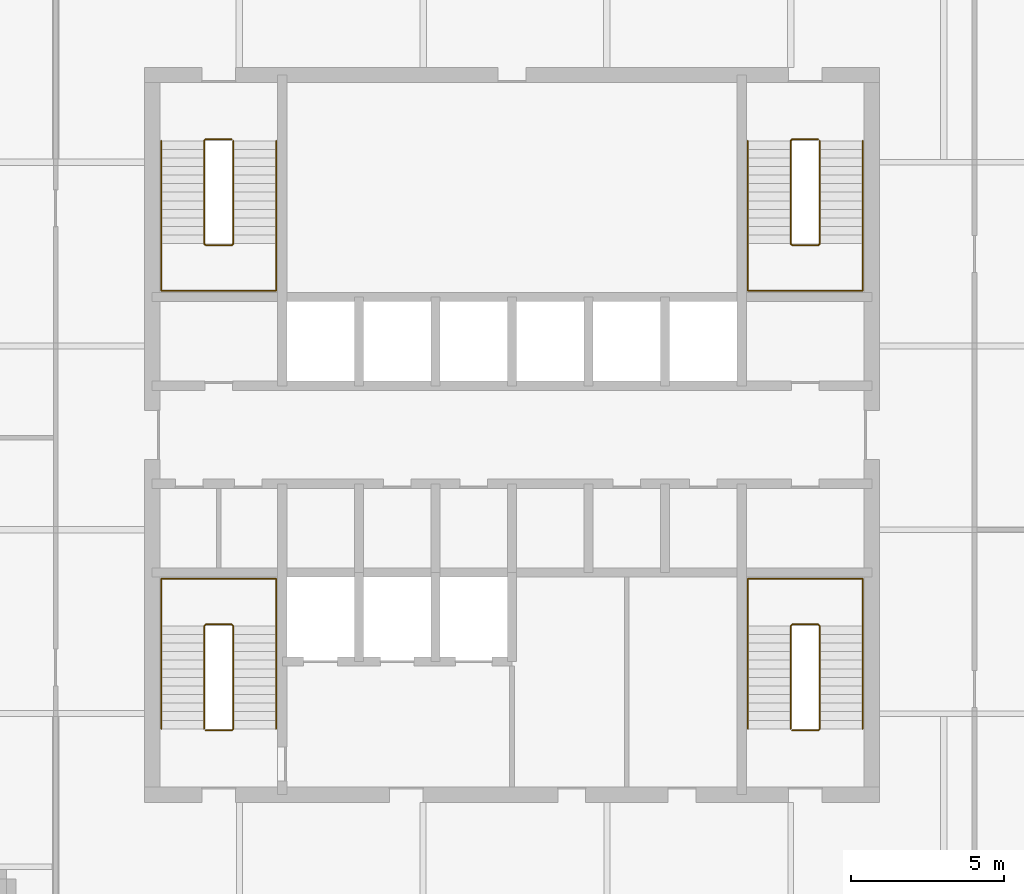
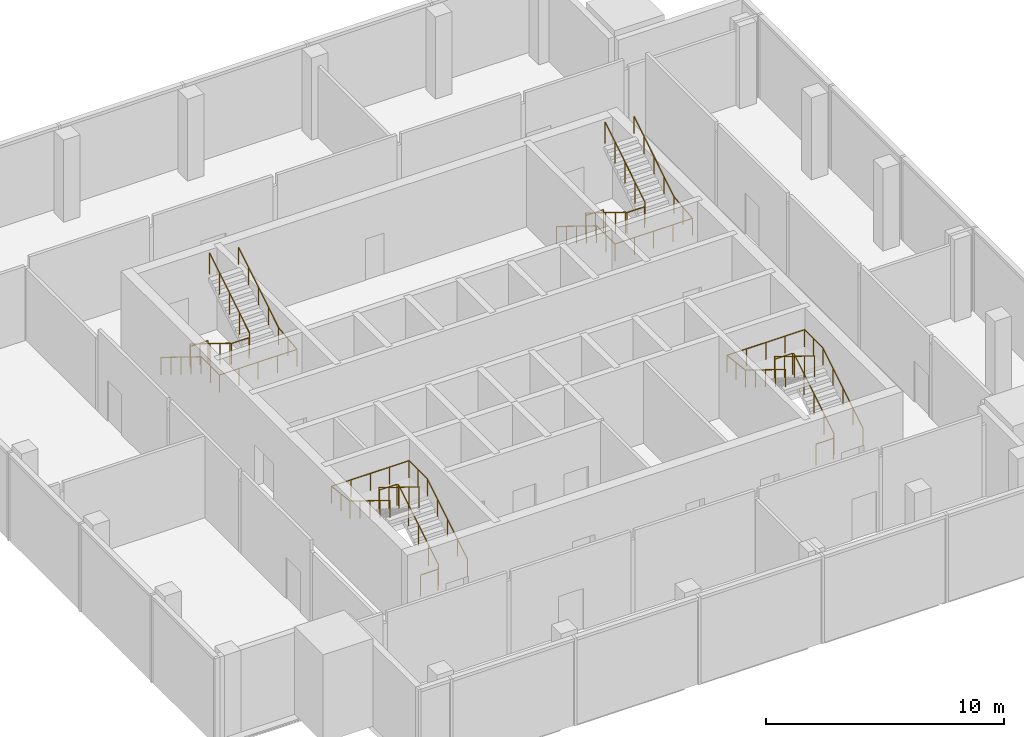
# One storey, part 7 of 7: 8 railings.
"""IFC4 building model written with IfcOpenShell, lengths in metres."""

from ifc_helpers import new_model, si_unit, direction, frame, origin, origin_2d, place, context, subcontext, project, spatial, circle, extrude, material, type_object, element, save


model = new_model("IFC4")

# Units and contexts
model_context = context("Model", 3, precision=1e-05, world=origin(), true_north=direction((0.0, 1.0)))
body_context = subcontext(model_context, "Body", "Model", "MODEL_VIEW")
ifc_project = project(units=[si_unit("LENGTHUNIT", "METRE"), si_unit("AREAUNIT", "SQUARE_METRE"), si_unit("VOLUMEUNIT", "CUBIC_METRE"), si_unit("PLANEANGLEUNIT", "RADIAN"), si_unit("MASSUNIT", "GRAM", prefix="KILO")], contexts=[model_context])

# Site, building, storey
site_placement = place(None, origin())
site = spatial("IfcSite", under=ifc_project, at=site_placement, CompositionType="ELEMENT")
building_placement = place(site_placement, origin())
building = spatial("IfcBuilding", under=site, at=building_placement, Name="Amberfall Residences", CompositionType="ELEMENT")
storey_placement = place(building_placement, frame((0.0, 0.0, 281.800048828125)))
storey = spatial("IfcBuildingStorey", under=building, at=storey_placement, Name="L76 Crown", CompositionType="ELEMENT", Elevation=281.800048828125)

# Railings
ifc_material = material(Name="Stainless steel 316", Category="steel")
railing_type_1 = type_object("IfcRailingType", Name="Stair guard 1100", PredefinedType="GUARDRAIL", material=ifc_material)
railing_1_placement = place(storey_placement, frame((64.5, 35.85009765625, 0.0)))
element("IfcRailing", 1, at=railing_1_placement, inside=storey, type_object=railing_type_1, Name="L76 Crown stair 1 guard", PredefinedType="GUARDRAIL", context=body_context, shape_type="SweptSolid", body=[
    extrude(circle(Radius=0.02392578125, at=origin_2d()), frame((0.0, 0.0, 1.076171875), z_axis=(1.0, 0.0, 0.0), x_axis=(0.0, 1.0, 0.0)), (0.0, 0.0, 1.0), 0.85009765625),
    extrude(circle(Radius=0.02392578125, at=origin_2d()), frame((0.85009765625, 0.0, 1.076171875), z_axis=(0.26651005591, 0.26651005591, 0.926253086471), x_axis=(-0.707106781187, 0.707106781187, 0.0)), (0.0, 0.0, 1.0), 0.186767578125),
    extrude(circle(Radius=0.02392578125, at=origin_2d()), frame((0.89990234375, 0.0498046875, 1.2490234375), z_axis=(0.0, 0.850623216509, 0.525775754039), x_axis=(-1.0, 0.0, 0.0)), (0.0, 0.0, 1.0), 3.9501953125),
    extrude(circle(Radius=0.02392578125, at=origin_2d()), frame((0.89990234375, 3.409912109375, 3.326171875), z_axis=(-0.705375805398, 0.708833529934, 0.0), x_axis=(-0.708833529934, -0.705375805398, 0.0)), (0.0, 0.0, 1.0), 0.070556640625),
    extrude(circle(Radius=0.02392578125, at=origin_2d()), frame((0.85009765625, 3.4599609375, 3.326171875), z_axis=(-1.0, 0.0, 0.0), x_axis=(0.0, -1.0, 0.0)), (0.0, 0.0, 1.0), 0.85009765625),
    extrude(circle(Radius=0.02392578125, at=origin_2d()), frame((0.0, 3.4599609375, 3.326171875), z_axis=(-0.267629722418, -0.267629722418, 0.925607186314), x_axis=(0.707106781187, -0.707106781187, 0.0)), (0.0, 0.0, 1.0), 0.18701171875),
    extrude(circle(Radius=0.02392578125, at=origin_2d()), frame((-0.050048828125, 3.409912109375, 3.4990234375), z_axis=(0.0, -0.850623216509, 0.525775754039), x_axis=(1.0, 0.0, 0.0)), (0.0, 0.0, 1.0), 3.9501953125),
    extrude(circle(Radius=0.02099609375, at=origin_2d()), origin(), (0.0, 0.0, 1.0), 1.052001953125),
    extrude(circle(Radius=0.02099609375, at=origin_2d()), frame((0.85009765625, 0.0, 0.0)), (0.0, 0.0, 1.0), 1.052001953125),
    extrude(circle(Radius=0.02099609375, at=origin_2d()), frame((0.89990234375, 0.0498046875, 0.173095703125)), (0.0, 0.0, 1.0), 1.052001953125),
    extrude(circle(Radius=0.02099609375, at=origin_2d()), frame((0.89990234375, 0.889892578125, 0.6923828125)), (0.0, 0.0, 1.0), 1.052001953125),
    extrude(circle(Radius=0.02099609375, at=origin_2d()), frame((0.89990234375, 1.72998046875, 1.21142578125)), (0.0, 0.0, 1.0), 1.052001953125),
    extrude(circle(Radius=0.02099609375, at=origin_2d()), frame((0.89990234375, 2.56982421875, 1.730712890625)), (0.0, 0.0, 1.0), 1.052001953125),
    extrude(circle(Radius=0.02099609375, at=origin_2d()), frame((0.89990234375, 3.409912109375, 2.25)), (0.0, 0.0, 1.0), 1.052001953125),
    extrude(circle(Radius=0.02099609375, at=origin_2d()), frame((0.85009765625, 3.4599609375, 2.25)), (0.0, 0.0, 1.0), 1.052001953125),
    extrude(circle(Radius=0.02099609375, at=origin_2d()), frame((0.0, 3.4599609375, 2.25)), (0.0, 0.0, 1.0), 1.052001953125),
    extrude(circle(Radius=0.02099609375, at=origin_2d()), frame((-0.050048828125, 3.409912109375, 2.423095703125)), (0.0, 0.0, 1.0), 1.052001953125),
    extrude(circle(Radius=0.02099609375, at=origin_2d()), frame((-0.050048828125, 2.56982421875, 2.9423828125)), (0.0, 0.0, 1.0), 1.052001953125),
    extrude(circle(Radius=0.02099609375, at=origin_2d()), frame((-0.050048828125, 1.72998046875, 3.46142578125)), (0.0, 0.0, 1.0), 1.052001953125),
    extrude(circle(Radius=0.02099609375, at=origin_2d()), frame((-0.050048828125, 0.889892578125, 3.980712890625)), (0.0, 0.0, 1.0), 1.052001953125),
    extrude(circle(Radius=0.02099609375, at=origin_2d()), frame((-0.050048828125, 0.0498046875, 4.5)), (0.0, 0.0, 1.0), 1.052001953125),
])
railing_2_placement = place(storey_placement, frame((83.64990234375, 35.85009765625, 0.0)))
element("IfcRailing", 2, at=railing_2_placement, inside=storey, type_object=railing_type_1, Name="L76 Crown stair 2 guard", PredefinedType="GUARDRAIL", context=body_context, shape_type="SweptSolid", body=[
    extrude(circle(Radius=0.02392578125, at=origin_2d()), frame((0.0, 0.0, 1.076171875), z_axis=(1.0, 0.0, 0.0), x_axis=(0.0, 1.0, 0.0)), (0.0, 0.0, 1.0), 0.85009765625),
    extrude(circle(Radius=0.02392578125, at=origin_2d()), frame((0.85009765625, 0.0, 1.076171875), z_axis=(0.267723051232, 0.266417085129, 0.925929967433), x_axis=(-0.705375805398, 0.708833529934, 0.0)), (0.0, 0.0, 1.0), 0.18701171875),
    extrude(circle(Radius=0.02392578125, at=origin_2d()), frame((0.900146484375, 0.0498046875, 1.2490234375), z_axis=(0.0, 0.850623216509, 0.525775754039), x_axis=(-1.0, 0.0, 0.0)), (0.0, 0.0, 1.0), 3.9501953125),
    extrude(circle(Radius=0.02392578125, at=origin_2d()), frame((0.900146484375, 3.409912109375, 3.326171875), z_axis=(-0.707106781187, 0.707106781187, 0.0), x_axis=(-0.707106781187, -0.707106781187, 0.0)), (0.0, 0.0, 1.0), 0.07080078125),
    extrude(circle(Radius=0.02392578125, at=origin_2d()), frame((0.85009765625, 3.4599609375, 3.326171875), z_axis=(-1.0, 0.0, 0.0), x_axis=(0.0, -1.0, 0.0)), (0.0, 0.0, 1.0), 0.85009765625),
    extrude(circle(Radius=0.02392578125, at=origin_2d()), frame((0.0, 3.4599609375, 3.326171875), z_axis=(-0.266417085129, -0.267723051232, 0.925929967433), x_axis=(0.708833529934, -0.705375805398, 0.0)), (0.0, 0.0, 1.0), 0.18701171875),
    extrude(circle(Radius=0.02392578125, at=origin_2d()), frame((-0.0498046875, 3.409912109375, 3.4990234375), z_axis=(0.0, -0.850623216509, 0.525775754039), x_axis=(1.0, 0.0, 0.0)), (0.0, 0.0, 1.0), 3.9501953125),
    extrude(circle(Radius=0.02099609375, at=origin_2d()), origin(), (0.0, 0.0, 1.0), 1.052001953125),
    extrude(circle(Radius=0.02099609375, at=origin_2d()), frame((0.85009765625, 0.0, 0.0)), (0.0, 0.0, 1.0), 1.052001953125),
    extrude(circle(Radius=0.02099609375, at=origin_2d()), frame((0.900146484375, 0.0498046875, 0.173095703125)), (0.0, 0.0, 1.0), 1.052001953125),
    extrude(circle(Radius=0.02099609375, at=origin_2d()), frame((0.900146484375, 0.889892578125, 0.6923828125)), (0.0, 0.0, 1.0), 1.052001953125),
    extrude(circle(Radius=0.02099609375, at=origin_2d()), frame((0.900146484375, 1.72998046875, 1.21142578125)), (0.0, 0.0, 1.0), 1.052001953125),
    extrude(circle(Radius=0.02099609375, at=origin_2d()), frame((0.900146484375, 2.56982421875, 1.730712890625)), (0.0, 0.0, 1.0), 1.052001953125),
    extrude(circle(Radius=0.02099609375, at=origin_2d()), frame((0.900146484375, 3.409912109375, 2.25)), (0.0, 0.0, 1.0), 1.052001953125),
    extrude(circle(Radius=0.02099609375, at=origin_2d()), frame((0.85009765625, 3.4599609375, 2.25)), (0.0, 0.0, 1.0), 1.052001953125),
    extrude(circle(Radius=0.02099609375, at=origin_2d()), frame((0.0, 3.4599609375, 2.25)), (0.0, 0.0, 1.0), 1.052001953125),
    extrude(circle(Radius=0.02099609375, at=origin_2d()), frame((-0.0498046875, 3.409912109375, 2.423095703125)), (0.0, 0.0, 1.0), 1.052001953125),
    extrude(circle(Radius=0.02099609375, at=origin_2d()), frame((-0.0498046875, 2.56982421875, 2.9423828125)), (0.0, 0.0, 1.0), 1.052001953125),
    extrude(circle(Radius=0.02099609375, at=origin_2d()), frame((-0.0498046875, 1.72998046875, 3.46142578125)), (0.0, 0.0, 1.0), 1.052001953125),
    extrude(circle(Radius=0.02099609375, at=origin_2d()), frame((-0.0498046875, 0.889892578125, 3.980712890625)), (0.0, 0.0, 1.0), 1.052001953125),
    extrude(circle(Radius=0.02099609375, at=origin_2d()), frame((-0.0498046875, 0.0498046875, 4.5)), (0.0, 0.0, 1.0), 1.052001953125),
])
railing_3_placement = place(storey_placement, frame((84.5, 55.14990234375, 0.0)))
element("IfcRailing", 3, at=railing_3_placement, inside=storey, type_object=railing_type_1, Name="L76 Crown stair 3 guard", PredefinedType="GUARDRAIL", context=body_context, shape_type="SweptSolid", body=[
    extrude(circle(Radius=0.02392578125, at=origin_2d()), frame((0.0, 0.0, 1.076171875), z_axis=(-1.0, 0.0, 0.0), x_axis=(0.0, -1.0, 0.0)), (0.0, 0.0, 1.0), 0.85009765625),
    extrude(circle(Radius=0.02392578125, at=origin_2d()), frame((-0.85009765625, 0.0, 1.076171875), z_axis=(-0.26651005591, -0.26651005591, 0.926253086471), x_axis=(0.707106781187, -0.707106781187, 0.0)), (0.0, 0.0, 1.0), 0.186767578125),
    extrude(circle(Radius=0.02392578125, at=origin_2d()), frame((-0.89990234375, -0.0498046875, 1.2490234375), z_axis=(0.0, -0.850623216509, 0.525775754039), x_axis=(1.0, 0.0, 0.0)), (0.0, 0.0, 1.0), 3.9501953125),
    extrude(circle(Radius=0.02392578125, at=origin_2d()), frame((-0.89990234375, -3.409912109375, 3.326171875), z_axis=(0.705375805398, -0.708833529934, 0.0), x_axis=(0.708833529934, 0.705375805398, 0.0)), (0.0, 0.0, 1.0), 0.070556640625),
    extrude(circle(Radius=0.02392578125, at=origin_2d()), frame((-0.85009765625, -3.4599609375, 3.326171875), z_axis=(1.0, 0.0, 0.0), x_axis=(0.0, 1.0, 0.0)), (0.0, 0.0, 1.0), 0.85009765625),
    extrude(circle(Radius=0.02392578125, at=origin_2d()), frame((0.0, -3.4599609375, 3.326171875), z_axis=(0.267629722418, 0.267629722418, 0.925607186314), x_axis=(-0.707106781187, 0.707106781187, 0.0)), (0.0, 0.0, 1.0), 0.18701171875),
    extrude(circle(Radius=0.02392578125, at=origin_2d()), frame((0.050048828125, -3.409912109375, 3.4990234375), z_axis=(0.0, 0.850623216509, 0.525775754039), x_axis=(-1.0, 0.0, 0.0)), (0.0, 0.0, 1.0), 3.9501953125),
    extrude(circle(Radius=0.02099609375, at=origin_2d()), origin(), (0.0, 0.0, 1.0), 1.052001953125),
    extrude(circle(Radius=0.02099609375, at=origin_2d()), frame((-0.85009765625, 0.0, 0.0)), (0.0, 0.0, 1.0), 1.052001953125),
    extrude(circle(Radius=0.02099609375, at=origin_2d()), frame((-0.89990234375, -0.0498046875, 0.173095703125)), (0.0, 0.0, 1.0), 1.052001953125),
    extrude(circle(Radius=0.02099609375, at=origin_2d()), frame((-0.89990234375, -0.889892578125, 0.6923828125)), (0.0, 0.0, 1.0), 1.052001953125),
    extrude(circle(Radius=0.02099609375, at=origin_2d()), frame((-0.89990234375, -1.72998046875, 1.21142578125)), (0.0, 0.0, 1.0), 1.052001953125),
    extrude(circle(Radius=0.02099609375, at=origin_2d()), frame((-0.89990234375, -2.56982421875, 1.730712890625)), (0.0, 0.0, 1.0), 1.052001953125),
    extrude(circle(Radius=0.02099609375, at=origin_2d()), frame((-0.89990234375, -3.409912109375, 2.25)), (0.0, 0.0, 1.0), 1.052001953125),
    extrude(circle(Radius=0.02099609375, at=origin_2d()), frame((-0.85009765625, -3.4599609375, 2.25)), (0.0, 0.0, 1.0), 1.052001953125),
    extrude(circle(Radius=0.02099609375, at=origin_2d()), frame((0.0, -3.4599609375, 2.25)), (0.0, 0.0, 1.0), 1.052001953125),
    extrude(circle(Radius=0.02099609375, at=origin_2d()), frame((0.050048828125, -3.409912109375, 2.423095703125)), (0.0, 0.0, 1.0), 1.052001953125),
    extrude(circle(Radius=0.02099609375, at=origin_2d()), frame((0.050048828125, -2.56982421875, 2.9423828125)), (0.0, 0.0, 1.0), 1.052001953125),
    extrude(circle(Radius=0.02099609375, at=origin_2d()), frame((0.050048828125, -1.72998046875, 3.46142578125)), (0.0, 0.0, 1.0), 1.052001953125),
    extrude(circle(Radius=0.02099609375, at=origin_2d()), frame((0.050048828125, -0.889892578125, 3.980712890625)), (0.0, 0.0, 1.0), 1.052001953125),
    extrude(circle(Radius=0.02099609375, at=origin_2d()), frame((0.050048828125, -0.0498046875, 4.5)), (0.0, 0.0, 1.0), 1.052001953125),
])
railing_4_placement = place(storey_placement, frame((65.35009765625, 55.14990234375, 0.0)))
element("IfcRailing", 4, at=railing_4_placement, inside=storey, type_object=railing_type_1, Name="L76 Crown stair 4 guard", PredefinedType="GUARDRAIL", context=body_context, shape_type="SweptSolid", body=[
    extrude(circle(Radius=0.02392578125, at=origin_2d()), frame((0.0, 0.0, 1.076171875), z_axis=(-1.0, 0.0, 0.0), x_axis=(0.0, -1.0, 0.0)), (0.0, 0.0, 1.0), 0.85009765625),
    extrude(circle(Radius=0.02392578125, at=origin_2d()), frame((-0.85009765625, 0.0, 1.076171875), z_axis=(-0.267723051232, -0.266417085129, 0.925929967433), x_axis=(0.705375805398, -0.708833529934, 0.0)), (0.0, 0.0, 1.0), 0.18701171875),
    extrude(circle(Radius=0.02392578125, at=origin_2d()), frame((-0.900146484375, -0.0498046875, 1.2490234375), z_axis=(0.0, -0.850623216509, 0.525775754039), x_axis=(1.0, 0.0, 0.0)), (0.0, 0.0, 1.0), 3.9501953125),
    extrude(circle(Radius=0.02392578125, at=origin_2d()), frame((-0.900146484375, -3.409912109375, 3.326171875), z_axis=(0.707106781187, -0.707106781187, 0.0), x_axis=(0.707106781187, 0.707106781187, 0.0)), (0.0, 0.0, 1.0), 0.07080078125),
    extrude(circle(Radius=0.02392578125, at=origin_2d()), frame((-0.85009765625, -3.4599609375, 3.326171875), z_axis=(1.0, 0.0, 0.0), x_axis=(0.0, 1.0, 0.0)), (0.0, 0.0, 1.0), 0.85009765625),
    extrude(circle(Radius=0.02392578125, at=origin_2d()), frame((0.0, -3.4599609375, 3.326171875), z_axis=(0.266417085129, 0.267723051232, 0.925929967433), x_axis=(-0.708833529934, 0.705375805398, 0.0)), (0.0, 0.0, 1.0), 0.18701171875),
    extrude(circle(Radius=0.02392578125, at=origin_2d()), frame((0.0498046875, -3.409912109375, 3.4990234375), z_axis=(0.0, 0.850623216509, 0.525775754039), x_axis=(-1.0, 0.0, 0.0)), (0.0, 0.0, 1.0), 3.9501953125),
    extrude(circle(Radius=0.02099609375, at=origin_2d()), origin(), (0.0, 0.0, 1.0), 1.052001953125),
    extrude(circle(Radius=0.02099609375, at=origin_2d()), frame((-0.85009765625, 0.0, 0.0)), (0.0, 0.0, 1.0), 1.052001953125),
    extrude(circle(Radius=0.02099609375, at=origin_2d()), frame((-0.900146484375, -0.0498046875, 0.173095703125)), (0.0, 0.0, 1.0), 1.052001953125),
    extrude(circle(Radius=0.02099609375, at=origin_2d()), frame((-0.900146484375, -0.889892578125, 0.6923828125)), (0.0, 0.0, 1.0), 1.052001953125),
    extrude(circle(Radius=0.02099609375, at=origin_2d()), frame((-0.900146484375, -1.72998046875, 1.21142578125)), (0.0, 0.0, 1.0), 1.052001953125),
    extrude(circle(Radius=0.02099609375, at=origin_2d()), frame((-0.900146484375, -2.56982421875, 1.730712890625)), (0.0, 0.0, 1.0), 1.052001953125),
    extrude(circle(Radius=0.02099609375, at=origin_2d()), frame((-0.900146484375, -3.409912109375, 2.25)), (0.0, 0.0, 1.0), 1.052001953125),
    extrude(circle(Radius=0.02099609375, at=origin_2d()), frame((-0.85009765625, -3.4599609375, 2.25)), (0.0, 0.0, 1.0), 1.052001953125),
    extrude(circle(Radius=0.02099609375, at=origin_2d()), frame((0.0, -3.4599609375, 2.25)), (0.0, 0.0, 1.0), 1.052001953125),
    extrude(circle(Radius=0.02099609375, at=origin_2d()), frame((0.0498046875, -3.409912109375, 2.423095703125)), (0.0, 0.0, 1.0), 1.052001953125),
    extrude(circle(Radius=0.02099609375, at=origin_2d()), frame((0.0498046875, -2.56982421875, 2.9423828125)), (0.0, 0.0, 1.0), 1.052001953125),
    extrude(circle(Radius=0.02099609375, at=origin_2d()), frame((0.0498046875, -1.72998046875, 3.46142578125)), (0.0, 0.0, 1.0), 1.052001953125),
    extrude(circle(Radius=0.02099609375, at=origin_2d()), frame((0.0498046875, -0.889892578125, 3.980712890625)), (0.0, 0.0, 1.0), 1.052001953125),
    extrude(circle(Radius=0.02099609375, at=origin_2d()), frame((0.0498046875, -0.0498046875, 4.5)), (0.0, 0.0, 1.0), 1.052001953125),
])
railing_type_2 = type_object("IfcRailingType", Name="Stair handrail 900", PredefinedType="HANDRAIL", material=ifc_material)
railing_5_placement = place(storey_placement, frame((66.800048828125, 35.89990234375, 0.173095703125)))
element("IfcRailing", 5, at=railing_5_placement, inside=storey, type_object=railing_type_2, Name="L76 Crown stair 1 handrail", PredefinedType="HANDRAIL", context=body_context, shape_type="SweptSolid", body=[
    extrude(circle(Radius=0.02392578125, at=origin_2d()), frame((0.0, 0.0, 0.8759765625), z_axis=(0.0, 0.850623216509, 0.525775754039), x_axis=(-1.0, 0.0, 0.0)), (0.0, 0.0, 1.0), 3.9501953125),
    extrude(circle(Radius=0.02392578125, at=origin_2d()), frame((0.0, 3.360107421875, 2.95263671875), z_axis=(0.0, 1.0, 0.0), x_axis=(-1.0, 0.0, 0.0)), (0.0, 0.0, 1.0), 1.5400390625),
    extrude(circle(Radius=0.02392578125, at=origin_2d()), frame((0.0, 4.900146484375, 2.95263671875), z_axis=(-1.0, 0.0, 0.0), x_axis=(0.0, -1.0, 0.0)), (0.0, 0.0, 1.0), 3.75),
    extrude(circle(Radius=0.02392578125, at=origin_2d()), frame((-3.75, 4.900146484375, 2.95263671875), z_axis=(0.0, -0.993742686923, 0.111693653302), x_axis=(1.0, 0.0, 0.0)), (0.0, 0.0, 1.0), 1.5498046875),
    extrude(circle(Radius=0.02392578125, at=origin_2d()), frame((-3.75, 3.360107421875, 3.1259765625), z_axis=(0.0, -0.850623216509, 0.525775754039), x_axis=(1.0, 0.0, 0.0)), (0.0, 0.0, 1.0), 3.9501953125),
    extrude(circle(Radius=0.02099609375, at=origin_2d()), origin(), (0.0, 0.0, 1.0), 0.851806640625),
    extrude(circle(Radius=0.02099609375, at=origin_2d()), frame((0.0, 0.840087890625, 0.519287109375)), (0.0, 0.0, 1.0), 0.851806640625),
    extrude(circle(Radius=0.02099609375, at=origin_2d()), frame((0.0, 1.68017578125, 1.03857421875)), (0.0, 0.0, 1.0), 0.851806640625),
    extrude(circle(Radius=0.02099609375, at=origin_2d()), frame((0.0, 2.52001953125, 1.5576171875)), (0.0, 0.0, 1.0), 0.851806640625),
    extrude(circle(Radius=0.02099609375, at=origin_2d()), frame((0.0, 3.360107421875, 2.076904296875)), (0.0, 0.0, 1.0), 0.851806640625),
    extrude(circle(Radius=0.02099609375, at=origin_2d()), frame((0.0, 4.130126953125, 2.076904296875)), (0.0, 0.0, 1.0), 0.851806640625),
    extrude(circle(Radius=0.02099609375, at=origin_2d()), frame((0.0, 4.900146484375, 2.076904296875)), (0.0, 0.0, 1.0), 0.851806640625),
    extrude(circle(Radius=0.02099609375, at=origin_2d()), frame((-0.9375, 4.900146484375, 2.076904296875)), (0.0, 0.0, 1.0), 0.851806640625),
    extrude(circle(Radius=0.02099609375, at=origin_2d()), frame((-1.875, 4.900146484375, 2.076904296875)), (0.0, 0.0, 1.0), 0.851806640625),
    extrude(circle(Radius=0.02099609375, at=origin_2d()), frame((-2.8125, 4.900146484375, 2.076904296875)), (0.0, 0.0, 1.0), 0.851806640625),
    extrude(circle(Radius=0.02099609375, at=origin_2d()), frame((-3.75, 4.900146484375, 2.076904296875)), (0.0, 0.0, 1.0), 0.851806640625),
    extrude(circle(Radius=0.02099609375, at=origin_2d()), frame((-3.75, 4.130126953125, 2.16357421875)), (0.0, 0.0, 1.0), 0.851806640625),
    extrude(circle(Radius=0.02099609375, at=origin_2d()), frame((-3.75, 3.360107421875, 2.25)), (0.0, 0.0, 1.0), 0.851806640625),
    extrude(circle(Radius=0.02099609375, at=origin_2d()), frame((-3.75, 2.52001953125, 2.769287109375)), (0.0, 0.0, 1.0), 0.851806640625),
    extrude(circle(Radius=0.02099609375, at=origin_2d()), frame((-3.75, 1.68017578125, 3.28857421875)), (0.0, 0.0, 1.0), 0.851806640625),
    extrude(circle(Radius=0.02099609375, at=origin_2d()), frame((-3.75, 0.840087890625, 3.8076171875)), (0.0, 0.0, 1.0), 0.851806640625),
    extrude(circle(Radius=0.02099609375, at=origin_2d()), frame((-3.75, 0.0, 4.326904296875)), (0.0, 0.0, 1.0), 0.851806640625),
])
railing_6_placement = place(storey_placement, frame((85.949951171875, 35.89990234375, 0.173095703125)))
element("IfcRailing", 6, at=railing_6_placement, inside=storey, type_object=railing_type_2, Name="L76 Crown stair 2 handrail", PredefinedType="HANDRAIL", context=body_context, shape_type="SweptSolid", body=[
    extrude(circle(Radius=0.02392578125, at=origin_2d()), frame((0.0, 0.0, 0.8759765625), z_axis=(0.0, 0.850623216509, 0.525775754039), x_axis=(-1.0, 0.0, 0.0)), (0.0, 0.0, 1.0), 3.9501953125),
    extrude(circle(Radius=0.02392578125, at=origin_2d()), frame((0.0, 3.360107421875, 2.95263671875), z_axis=(0.0, 1.0, 0.0), x_axis=(-1.0, 0.0, 0.0)), (0.0, 0.0, 1.0), 1.5400390625),
    extrude(circle(Radius=0.02392578125, at=origin_2d()), frame((0.0, 4.900146484375, 2.95263671875), z_axis=(-1.0, 0.0, 0.0), x_axis=(0.0, -1.0, 0.0)), (0.0, 0.0, 1.0), 3.75),
    extrude(circle(Radius=0.02392578125, at=origin_2d()), frame((-3.75, 4.900146484375, 2.95263671875), z_axis=(0.0, -0.993742686923, 0.111693653302), x_axis=(1.0, 0.0, 0.0)), (0.0, 0.0, 1.0), 1.5498046875),
    extrude(circle(Radius=0.02392578125, at=origin_2d()), frame((-3.75, 3.360107421875, 3.1259765625), z_axis=(0.0, -0.850623216509, 0.525775754039), x_axis=(1.0, 0.0, 0.0)), (0.0, 0.0, 1.0), 3.9501953125),
    extrude(circle(Radius=0.02099609375, at=origin_2d()), origin(), (0.0, 0.0, 1.0), 0.851806640625),
    extrude(circle(Radius=0.02099609375, at=origin_2d()), frame((0.0, 0.840087890625, 0.519287109375)), (0.0, 0.0, 1.0), 0.851806640625),
    extrude(circle(Radius=0.02099609375, at=origin_2d()), frame((0.0, 1.68017578125, 1.03857421875)), (0.0, 0.0, 1.0), 0.851806640625),
    extrude(circle(Radius=0.02099609375, at=origin_2d()), frame((0.0, 2.52001953125, 1.5576171875)), (0.0, 0.0, 1.0), 0.851806640625),
    extrude(circle(Radius=0.02099609375, at=origin_2d()), frame((0.0, 3.360107421875, 2.076904296875)), (0.0, 0.0, 1.0), 0.851806640625),
    extrude(circle(Radius=0.02099609375, at=origin_2d()), frame((0.0, 4.130126953125, 2.076904296875)), (0.0, 0.0, 1.0), 0.851806640625),
    extrude(circle(Radius=0.02099609375, at=origin_2d()), frame((0.0, 4.900146484375, 2.076904296875)), (0.0, 0.0, 1.0), 0.851806640625),
    extrude(circle(Radius=0.02099609375, at=origin_2d()), frame((-0.9375, 4.900146484375, 2.076904296875)), (0.0, 0.0, 1.0), 0.851806640625),
    extrude(circle(Radius=0.02099609375, at=origin_2d()), frame((-1.875, 4.900146484375, 2.076904296875)), (0.0, 0.0, 1.0), 0.851806640625),
    extrude(circle(Radius=0.02099609375, at=origin_2d()), frame((-2.8125, 4.900146484375, 2.076904296875)), (0.0, 0.0, 1.0), 0.851806640625),
    extrude(circle(Radius=0.02099609375, at=origin_2d()), frame((-3.75, 4.900146484375, 2.076904296875)), (0.0, 0.0, 1.0), 0.851806640625),
    extrude(circle(Radius=0.02099609375, at=origin_2d()), frame((-3.75, 4.130126953125, 2.16357421875)), (0.0, 0.0, 1.0), 0.851806640625),
    extrude(circle(Radius=0.02099609375, at=origin_2d()), frame((-3.75, 3.360107421875, 2.25)), (0.0, 0.0, 1.0), 0.851806640625),
    extrude(circle(Radius=0.02099609375, at=origin_2d()), frame((-3.75, 2.52001953125, 2.769287109375)), (0.0, 0.0, 1.0), 0.851806640625),
    extrude(circle(Radius=0.02099609375, at=origin_2d()), frame((-3.75, 1.68017578125, 3.28857421875)), (0.0, 0.0, 1.0), 0.851806640625),
    extrude(circle(Radius=0.02099609375, at=origin_2d()), frame((-3.75, 0.840087890625, 3.8076171875)), (0.0, 0.0, 1.0), 0.851806640625),
    extrude(circle(Radius=0.02099609375, at=origin_2d()), frame((-3.75, 0.0, 4.326904296875)), (0.0, 0.0, 1.0), 0.851806640625),
])
railing_7_placement = place(storey_placement, frame((82.199951171875, 55.10009765625, 0.173095703125)))
element("IfcRailing", 7, at=railing_7_placement, inside=storey, type_object=railing_type_2, Name="L76 Crown stair 3 handrail", PredefinedType="HANDRAIL", context=body_context, shape_type="SweptSolid", body=[
    extrude(circle(Radius=0.02392578125, at=origin_2d()), frame((0.0, 0.0, 0.8759765625), z_axis=(0.0, -0.850623216509, 0.525775754039), x_axis=(1.0, 0.0, 0.0)), (0.0, 0.0, 1.0), 3.9501953125),
    extrude(circle(Radius=0.02392578125, at=origin_2d()), frame((0.0, -3.360107421875, 2.95263671875), z_axis=(0.0, -1.0, 0.0), x_axis=(1.0, 0.0, 0.0)), (0.0, 0.0, 1.0), 1.5400390625),
    extrude(circle(Radius=0.02392578125, at=origin_2d()), frame((0.0, -4.900146484375, 2.95263671875), z_axis=(1.0, 0.0, 0.0), x_axis=(0.0, 1.0, 0.0)), (0.0, 0.0, 1.0), 3.75),
    extrude(circle(Radius=0.02392578125, at=origin_2d()), frame((3.75, -4.900146484375, 2.95263671875), z_axis=(0.0, 0.993742686923, 0.111693653302), x_axis=(-1.0, 0.0, 0.0)), (0.0, 0.0, 1.0), 1.5498046875),
    extrude(circle(Radius=0.02392578125, at=origin_2d()), frame((3.75, -3.360107421875, 3.1259765625), z_axis=(0.0, 0.850623216509, 0.525775754039), x_axis=(-1.0, 0.0, 0.0)), (0.0, 0.0, 1.0), 3.9501953125),
    extrude(circle(Radius=0.02099609375, at=origin_2d()), origin(), (0.0, 0.0, 1.0), 0.851806640625),
    extrude(circle(Radius=0.02099609375, at=origin_2d()), frame((0.0, -0.840087890625, 0.519287109375)), (0.0, 0.0, 1.0), 0.851806640625),
    extrude(circle(Radius=0.02099609375, at=origin_2d()), frame((0.0, -1.68017578125, 1.03857421875)), (0.0, 0.0, 1.0), 0.851806640625),
    extrude(circle(Radius=0.02099609375, at=origin_2d()), frame((0.0, -2.52001953125, 1.5576171875)), (0.0, 0.0, 1.0), 0.851806640625),
    extrude(circle(Radius=0.02099609375, at=origin_2d()), frame((0.0, -3.360107421875, 2.076904296875)), (0.0, 0.0, 1.0), 0.851806640625),
    extrude(circle(Radius=0.02099609375, at=origin_2d()), frame((0.0, -4.130126953125, 2.076904296875)), (0.0, 0.0, 1.0), 0.851806640625),
    extrude(circle(Radius=0.02099609375, at=origin_2d()), frame((0.0, -4.900146484375, 2.076904296875)), (0.0, 0.0, 1.0), 0.851806640625),
    extrude(circle(Radius=0.02099609375, at=origin_2d()), frame((0.9375, -4.900146484375, 2.076904296875)), (0.0, 0.0, 1.0), 0.851806640625),
    extrude(circle(Radius=0.02099609375, at=origin_2d()), frame((1.875, -4.900146484375, 2.076904296875)), (0.0, 0.0, 1.0), 0.851806640625),
    extrude(circle(Radius=0.02099609375, at=origin_2d()), frame((2.8125, -4.900146484375, 2.076904296875)), (0.0, 0.0, 1.0), 0.851806640625),
    extrude(circle(Radius=0.02099609375, at=origin_2d()), frame((3.75, -4.900146484375, 2.076904296875)), (0.0, 0.0, 1.0), 0.851806640625),
    extrude(circle(Radius=0.02099609375, at=origin_2d()), frame((3.75, -4.130126953125, 2.16357421875)), (0.0, 0.0, 1.0), 0.851806640625),
    extrude(circle(Radius=0.02099609375, at=origin_2d()), frame((3.75, -3.360107421875, 2.25)), (0.0, 0.0, 1.0), 0.851806640625),
    extrude(circle(Radius=0.02099609375, at=origin_2d()), frame((3.75, -2.52001953125, 2.769287109375)), (0.0, 0.0, 1.0), 0.851806640625),
    extrude(circle(Radius=0.02099609375, at=origin_2d()), frame((3.75, -1.68017578125, 3.28857421875)), (0.0, 0.0, 1.0), 0.851806640625),
    extrude(circle(Radius=0.02099609375, at=origin_2d()), frame((3.75, -0.840087890625, 3.8076171875)), (0.0, 0.0, 1.0), 0.851806640625),
    extrude(circle(Radius=0.02099609375, at=origin_2d()), frame((3.75, 0.0, 4.326904296875)), (0.0, 0.0, 1.0), 0.851806640625),
])
railing_8_placement = place(storey_placement, frame((63.050048828125, 55.10009765625, 0.173095703125)))
element("IfcRailing", 8, at=railing_8_placement, inside=storey, type_object=railing_type_2, Name="L76 Crown stair 4 handrail", PredefinedType="HANDRAIL", context=body_context, shape_type="SweptSolid", body=[
    extrude(circle(Radius=0.02392578125, at=origin_2d()), frame((0.0, 0.0, 0.8759765625), z_axis=(0.0, -0.850623216509, 0.525775754039), x_axis=(1.0, 0.0, 0.0)), (0.0, 0.0, 1.0), 3.9501953125),
    extrude(circle(Radius=0.02392578125, at=origin_2d()), frame((0.0, -3.360107421875, 2.95263671875), z_axis=(0.0, -1.0, 0.0), x_axis=(1.0, 0.0, 0.0)), (0.0, 0.0, 1.0), 1.5400390625),
    extrude(circle(Radius=0.02392578125, at=origin_2d()), frame((0.0, -4.900146484375, 2.95263671875), z_axis=(1.0, 0.0, 0.0), x_axis=(0.0, 1.0, 0.0)), (0.0, 0.0, 1.0), 3.75),
    extrude(circle(Radius=0.02392578125, at=origin_2d()), frame((3.75, -4.900146484375, 2.95263671875), z_axis=(0.0, 0.993742686923, 0.111693653302), x_axis=(-1.0, 0.0, 0.0)), (0.0, 0.0, 1.0), 1.5498046875),
    extrude(circle(Radius=0.02392578125, at=origin_2d()), frame((3.75, -3.360107421875, 3.1259765625), z_axis=(0.0, 0.850623216509, 0.525775754039), x_axis=(-1.0, 0.0, 0.0)), (0.0, 0.0, 1.0), 3.9501953125),
    extrude(circle(Radius=0.02099609375, at=origin_2d()), origin(), (0.0, 0.0, 1.0), 0.851806640625),
    extrude(circle(Radius=0.02099609375, at=origin_2d()), frame((0.0, -0.840087890625, 0.519287109375)), (0.0, 0.0, 1.0), 0.851806640625),
    extrude(circle(Radius=0.02099609375, at=origin_2d()), frame((0.0, -1.68017578125, 1.03857421875)), (0.0, 0.0, 1.0), 0.851806640625),
    extrude(circle(Radius=0.02099609375, at=origin_2d()), frame((0.0, -2.52001953125, 1.5576171875)), (0.0, 0.0, 1.0), 0.851806640625),
    extrude(circle(Radius=0.02099609375, at=origin_2d()), frame((0.0, -3.360107421875, 2.076904296875)), (0.0, 0.0, 1.0), 0.851806640625),
    extrude(circle(Radius=0.02099609375, at=origin_2d()), frame((0.0, -4.130126953125, 2.076904296875)), (0.0, 0.0, 1.0), 0.851806640625),
    extrude(circle(Radius=0.02099609375, at=origin_2d()), frame((0.0, -4.900146484375, 2.076904296875)), (0.0, 0.0, 1.0), 0.851806640625),
    extrude(circle(Radius=0.02099609375, at=origin_2d()), frame((0.9375, -4.900146484375, 2.076904296875)), (0.0, 0.0, 1.0), 0.851806640625),
    extrude(circle(Radius=0.02099609375, at=origin_2d()), frame((1.875, -4.900146484375, 2.076904296875)), (0.0, 0.0, 1.0), 0.851806640625),
    extrude(circle(Radius=0.02099609375, at=origin_2d()), frame((2.8125, -4.900146484375, 2.076904296875)), (0.0, 0.0, 1.0), 0.851806640625),
    extrude(circle(Radius=0.02099609375, at=origin_2d()), frame((3.75, -4.900146484375, 2.076904296875)), (0.0, 0.0, 1.0), 0.851806640625),
    extrude(circle(Radius=0.02099609375, at=origin_2d()), frame((3.75, -4.130126953125, 2.16357421875)), (0.0, 0.0, 1.0), 0.851806640625),
    extrude(circle(Radius=0.02099609375, at=origin_2d()), frame((3.75, -3.360107421875, 2.25)), (0.0, 0.0, 1.0), 0.851806640625),
    extrude(circle(Radius=0.02099609375, at=origin_2d()), frame((3.75, -2.52001953125, 2.769287109375)), (0.0, 0.0, 1.0), 0.851806640625),
    extrude(circle(Radius=0.02099609375, at=origin_2d()), frame((3.75, -1.68017578125, 3.28857421875)), (0.0, 0.0, 1.0), 0.851806640625),
    extrude(circle(Radius=0.02099609375, at=origin_2d()), frame((3.75, -0.840087890625, 3.8076171875)), (0.0, 0.0, 1.0), 0.851806640625),
    extrude(circle(Radius=0.02099609375, at=origin_2d()), frame((3.75, 0.0, 4.326904296875)), (0.0, 0.0, 1.0), 0.851806640625),
])

save(model, "model.ifc")
